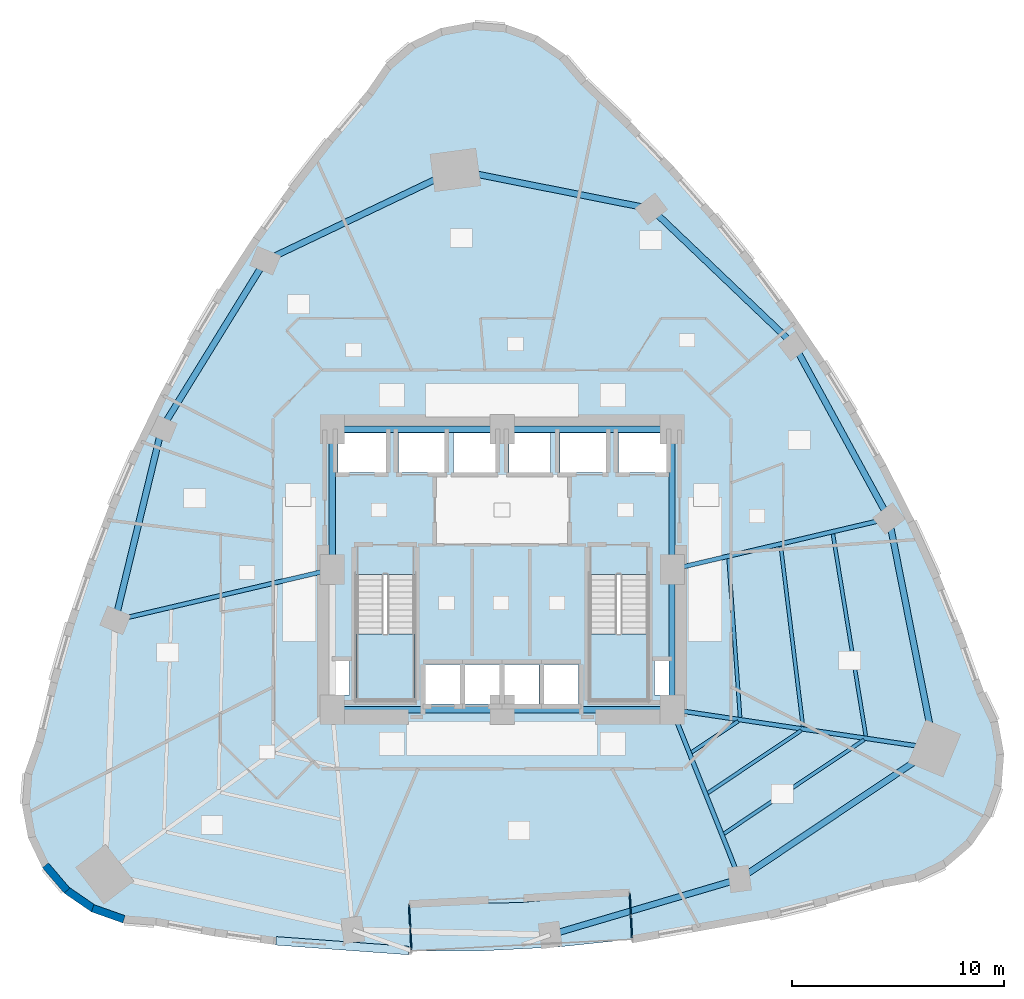
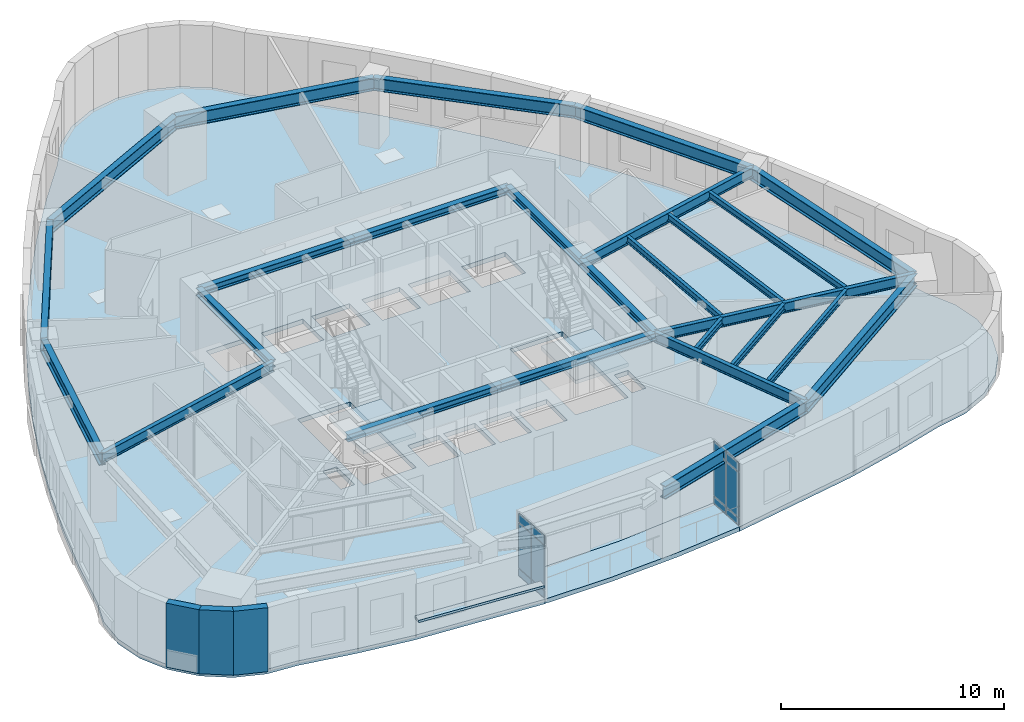
# One storey, part 3 of 11: 26 beams, 13 plates, 4 slabs, 3 walls, 4 elements without a shape of their own.
"""IFC4 building model written with IfcOpenShell, lengths in metres."""

from ifc_helpers import new_model, si_unit, direction, frame, frame_2d, origin, origin_2d, place, context, subcontext, project, spatial, polyline, rectangle, i_section, outline, extrude, material, layer, layer_set, material_profile, profile_set, type_object, element, aggregate, save


model = new_model("IFC4")

# Units and contexts
model_context = context("Model", 3, precision=1e-05, world=origin(), true_north=direction((0.0, 1.0)))
body_context = subcontext(model_context, "Body", "Model", "MODEL_VIEW")
ifc_project = project(units=[si_unit("LENGTHUNIT", "METRE"), si_unit("AREAUNIT", "SQUARE_METRE"), si_unit("VOLUMEUNIT", "CUBIC_METRE"), si_unit("PLANEANGLEUNIT", "RADIAN"), si_unit("MASSUNIT", "GRAM", prefix="KILO")], contexts=[model_context])

# Site, building, storey
site_placement = place(None, origin())
site = spatial("IfcSite", under=ifc_project, at=site_placement, CompositionType="ELEMENT")
building_placement = place(site_placement, origin())
building = spatial("IfcBuilding", under=site, at=building_placement, Name="Ndelora Gate Hotel", CompositionType="ELEMENT")
storey_placement = place(building_placement, frame((0.0, 0.0, 45.5)))
storey = spatial("IfcBuildingStorey", under=building, at=storey_placement, Name="L10", CompositionType="ELEMENT", Elevation=45.5)

# Beams
ifc_material_1 = material(Name="Steel S355", Category="steel")
ifc_material_profile_1 = material_profile(ifc_material_1, i_section(OverallWidth=0.300048828125, OverallDepth=0.39990234375, WebThickness=0.013427734375, FlangeThickness=0.02392578125, FilletRadius=0.027099609375, at=origin_2d()), Name="HEB 400")
ifc_profile_set_1 = profile_set([ifc_material_profile_1], Name="Steel S355")
beam_type_1 = type_object("IfcBeamType", Name="BM-CORE-400", PredefinedType="BEAM", material=ifc_profile_set_1)
for number, where, z_axis, x_axis, name in (
    (1, (-8.0, 6.60009765625, 3.300048828125), (1.0, 0.0, 0.0), (0.0, 1.0, 0.0), "L10 Core Tie Girder CC7-CC6"),
    (2, (0.0, 6.60009765625, 3.300048828125), (1.0, 0.0, 0.0), (0.0, 1.0, 0.0), "L10 Core Tie Girder CC6-CC5"),
):
    element("IfcBeam", number, at=place(storey_placement, frame(where, z_axis=z_axis, x_axis=x_axis)), inside=storey, type_object=beam_type_1, Name=name, PredefinedType="BEAM", context=body_context, shape_type="SweptSolid", body=[
        extrude(i_section(OverallWidth=0.300048828125, OverallDepth=0.39990234375, WebThickness=0.013427734375, FlangeThickness=0.02392578125, FilletRadius=0.027099609375, at=origin_2d()), origin(), (0.0, 0.0, 1.0), 8.0),
    ])
for number, where, z_axis, x_axis, name in (
    (3, (-8.0, 0.0, 3.300048828125), (0.0, 1.0, 0.0), (-1.0, 0.0, 0.0), "L10 Core Tie Girder CC8-CC7"),
    (4, (8.0, -6.60009765625, 3.300048828125), (0.0, 1.0, 0.0), (-1.0, 0.0, 0.0), "L10 Core Tie Girder CC3-CC4"),
    (5, (8.0, 0.0, 3.300048828125), (0.0, 1.0, 0.0), (-1.0, 0.0, 0.0), "L10 Core Tie Girder CC4-CC5"),
):
    element("IfcBeam", number, at=place(storey_placement, frame(where, z_axis=z_axis, x_axis=x_axis)), inside=storey, type_object=beam_type_1, Name=name, PredefinedType="BEAM", context=body_context, shape_type="SweptSolid", body=[
        extrude(i_section(OverallWidth=0.300048828125, OverallDepth=0.39990234375, WebThickness=0.013427734375, FlangeThickness=0.02392578125, FilletRadius=0.027099609375, at=origin_2d()), origin(), (0.0, 0.0, 1.0), 6.60009765625),
    ])
for number, where, z_axis, x_axis, name in (
    (6, (-8.0, -6.60009765625, 3.300048828125), (1.0, 0.0, 0.0), (0.0, 1.0, 0.0), "L10 Core Tie Girder CC1-CC2"),
    (7, (0.0, -6.60009765625, 3.300048828125), (1.0, 0.0, 0.0), (0.0, 1.0, 0.0), "L10 Core Tie Girder CC2-CC3"),
):
    element("IfcBeam", number, at=place(storey_placement, frame(where, z_axis=z_axis, x_axis=x_axis)), inside=storey, type_object=beam_type_1, Name=name, PredefinedType="BEAM", context=body_context, shape_type="SweptSolid", body=[
        extrude(i_section(OverallWidth=0.300048828125, OverallDepth=0.39990234375, WebThickness=0.013427734375, FlangeThickness=0.02392578125, FilletRadius=0.027099609375, at=origin_2d()), origin(), (0.0, 0.0, 1.0), 8.0),
    ])
ifc_material_profile_2 = material_profile(ifc_material_1, i_section(OverallWidth=0.169921875, OverallDepth=0.360107421875, WebThickness=0.008056640625, FlangeThickness=0.0126953125, FilletRadius=0.01806640625, at=origin_2d()), Name="IPE 360")
ifc_profile_set_2 = profile_set([ifc_material_profile_2], Name="Steel S355")
beam_type_2 = type_object("IfcBeamType", Name="BM-JST-360", PredefinedType="JOIST", material=ifc_profile_set_2)
beam_1_placement = place(storey_placement, frame((8.922119140625, -8.608154296875, 3.320068359375), z_axis=(0.830952990267, 0.556342635402, 0.0), x_axis=(-0.556342635402, 0.830952990267, 0.0)))
element("IfcBeam", 8, at=beam_1_placement, inside=storey, type_object=beam_type_2, Name="L10 Secondary Composite Floor Joist IN-8", PredefinedType="JOIST", context=body_context, shape_type="SweptSolid", body=[
    extrude(i_section(OverallWidth=0.169921875, OverallDepth=0.360107421875, WebThickness=0.008056640625, FlangeThickness=0.0126953125, FilletRadius=0.01806640625, at=origin_2d()), origin(), (0.0, 0.0, 1.0), 2.6396484375),
])
beam_2_placement = place(storey_placement, frame((9.685302734375, -10.520751953125, 3.320068359375), z_axis=(0.83093347578, 0.556371781121, 0.0), x_axis=(-0.556371781121, 0.83093347578, 0.0)))
element("IfcBeam", 9, at=beam_2_placement, inside=storey, type_object=beam_type_2, Name="L10 Secondary Composite Floor Joist MID-8", PredefinedType="JOIST", context=body_context, shape_type="SweptSolid", body=[
    extrude(i_section(OverallWidth=0.169921875, OverallDepth=0.360107421875, WebThickness=0.008056640625, FlangeThickness=0.0126953125, FilletRadius=0.01806640625, at=origin_2d()), origin(), (0.0, 0.0, 1.0), 5.2880859375),
])
beam_3_placement = place(storey_placement, frame((10.448486328125, -12.433349609375, 3.320068359375), z_axis=(0.830936507521, 0.556367253231, 0.0), x_axis=(-0.556367253231, 0.830936507521, 0.0)))
element("IfcBeam", 10, at=beam_3_placement, inside=storey, type_object=beam_type_2, Name="L10 Secondary Composite Floor Joist OUT-8", PredefinedType="JOIST", context=body_context, shape_type="SweptSolid", body=[
    extrude(i_section(OverallWidth=0.169921875, OverallDepth=0.360107421875, WebThickness=0.008056640625, FlangeThickness=0.0126953125, FilletRadius=0.01806640625, at=origin_2d()), origin(), (0.0, 0.0, 1.0), 7.936767578125),
])
beam_4_placement = place(storey_placement, frame((11.20263671875, -6.9609375, 3.320068359375), z_axis=(-0.072176031603, 0.997391909162, 0.0), x_axis=(-0.997391909162, -0.072176031603, 0.0)))
element("IfcBeam", 11, at=beam_4_placement, inside=storey, type_object=beam_type_2, Name="L10 Secondary Composite Floor Joist IN-9", PredefinedType="JOIST", context=body_context, shape_type="SweptSolid", body=[
    extrude(i_section(OverallWidth=0.169921875, OverallDepth=0.360107421875, WebThickness=0.008056640625, FlangeThickness=0.0126953125, FilletRadius=0.01806640625, at=origin_2d()), origin(), (0.0, 0.0, 1.0), 7.489013671875),
])
beam_5_placement = place(storey_placement, frame((14.160888671875, -7.400390625, 3.320068359375), z_axis=(-0.122030984704, 0.992526291225, 0.0), x_axis=(-0.992526291225, -0.122030984704, 0.0)))
element("IfcBeam", 12, at=beam_5_placement, inside=storey, type_object=beam_type_2, Name="L10 Secondary Composite Floor Joist MID-9", PredefinedType="JOIST", context=body_context, shape_type="SweptSolid", body=[
    extrude(i_section(OverallWidth=0.169921875, OverallDepth=0.360107421875, WebThickness=0.008056640625, FlangeThickness=0.0126953125, FilletRadius=0.01806640625, at=origin_2d()), origin(), (0.0, 0.0, 1.0), 8.548828125),
])
beam_6_placement = place(storey_placement, frame((17.12060546875, -7.840087890625, 3.320068359375), z_axis=(-0.160901992796, 0.986970388975, 0.0), x_axis=(-0.986970388975, -0.160901992796, 0.0)))
element("IfcBeam", 13, at=beam_6_placement, inside=storey, type_object=beam_type_2, Name="L10 Secondary Composite Floor Joist OUT-9", PredefinedType="JOIST", context=body_context, shape_type="SweptSolid", body=[
    extrude(i_section(OverallWidth=0.169921875, OverallDepth=0.360107421875, WebThickness=0.008056640625, FlangeThickness=0.0126953125, FilletRadius=0.01806640625, at=origin_2d()), origin(), (0.0, 0.0, 1.0), 9.6259765625),
])
ifc_material_profile_3 = material_profile(ifc_material_1, i_section(OverallWidth=0.2099609375, OverallDepth=0.550048828125, WebThickness=0.010986328125, FlangeThickness=0.01708984375, FilletRadius=0.02392578125, at=origin_2d()), Name="IPE 550")
ifc_profile_set_3 = profile_set([ifc_material_profile_3], Name="Steel S355")
beam_type_3 = type_object("IfcBeamType", Name="BM-RAD-550", PredefinedType="BEAM", material=ifc_profile_set_3)
beam_7_placement = place(storey_placement, frame((-8.0, 0.0, 3.22509765625), z_axis=(-0.973517848051, -0.22861102232, 0.0), x_axis=(0.22861102232, -0.973517848051, 0.0)))
element("IfcBeam", 14, at=beam_7_placement, inside=storey, type_object=beam_type_3, Name="L10 Radial Floor Girder 4", PredefinedType="BEAM", context=body_context, shape_type="SweptSolid", body=[
    extrude(i_section(OverallWidth=0.2099609375, OverallDepth=0.550048828125, WebThickness=0.010986328125, FlangeThickness=0.01708984375, FilletRadius=0.02392578125, at=origin_2d()), origin(), (0.0, 0.0, 1.0), 10.48486328125),
])
beam_8_placement = place(storey_placement, frame((8.0, -6.60009765625, 3.22509765625), z_axis=(0.37056142644, -0.92880796144, 0.0), x_axis=(0.92880796144, 0.37056142644, 0.0)))
element("IfcBeam", 15, at=beam_8_placement, inside=storey, type_object=beam_type_3, Name="L10 Radial Floor Girder 8", PredefinedType="BEAM", context=body_context, shape_type="SweptSolid", body=[
    extrude(i_section(OverallWidth=0.2099609375, OverallDepth=0.550048828125, WebThickness=0.010986328125, FlangeThickness=0.01708984375, FilletRadius=0.02392578125, at=origin_2d()), origin(), (0.0, 0.0, 1.0), 8.580078125),
])
beam_9_placement = place(storey_placement, frame((8.0, -6.60009765625, 3.22509765625), z_axis=(0.989209761041, -0.146506138649, 0.0), x_axis=(0.146506138649, 0.989209761041, 0.0)))
element("IfcBeam", 16, at=beam_9_placement, inside=storey, type_object=beam_type_3, Name="L10 Radial Floor Girder 9", PredefinedType="BEAM", context=body_context, shape_type="SweptSolid", body=[
    extrude(i_section(OverallWidth=0.2099609375, OverallDepth=0.550048828125, WebThickness=0.010986328125, FlangeThickness=0.01708984375, FilletRadius=0.02392578125, at=origin_2d()), origin(), (0.0, 0.0, 1.0), 12.48486328125),
])
beam_10_placement = place(storey_placement, frame((8.0, 0.0, 3.22509765625), z_axis=(0.973517848051, 0.22861102232, 0.0), x_axis=(-0.22861102232, 0.973517848051, 0.0)))
element("IfcBeam", 17, at=beam_10_placement, inside=storey, type_object=beam_type_3, Name="L10 Radial Floor Girder 10", PredefinedType="BEAM", context=body_context, shape_type="SweptSolid", body=[
    extrude(i_section(OverallWidth=0.2099609375, OverallDepth=0.550048828125, WebThickness=0.010986328125, FlangeThickness=0.01708984375, FilletRadius=0.02392578125, at=origin_2d()), origin(), (0.0, 0.0, 1.0), 10.48486328125),
])
ifc_material_profile_4 = material_profile(ifc_material_1, i_section(OverallWidth=0.300048828125, OverallDepth=0.699951171875, WebThickness=0.01708984375, FlangeThickness=0.031982421875, FilletRadius=0.027099609375, at=origin_2d()), Name="HEB 700")
ifc_profile_set_4 = profile_set([ifc_material_profile_4], Name="Steel S355")
beam_type_4 = type_object("IfcBeamType", Name="BM-RING-700", PredefinedType="SPANDREL", material=ifc_profile_set_4)
beam_11_placement = place(storey_placement, frame((-2.199951171875, 18.800048828125, 3.14990234375), z_axis=(-0.902476034566, -0.43074006899, 0.0), x_axis=(0.43074006899, -0.902476034566, 0.0)))
element("IfcBeam", 18, at=beam_11_placement, inside=storey, type_object=beam_type_4, Name="L10 Perimeter Spandrel Girder 1", PredefinedType="SPANDREL", context=body_context, shape_type="SweptSolid", body=[
    extrude(i_section(OverallWidth=0.300048828125, OverallDepth=0.699951171875, WebThickness=0.01708984375, FlangeThickness=0.031982421875, FilletRadius=0.027099609375, at=origin_2d()), origin(), (0.0, 0.0, 1.0), 9.91552734375),
])
beam_12_placement = place(storey_placement, frame((-11.1484375, 14.529052734375, 3.14990234375), z_axis=(-0.524897602516, -0.851165381623, 0.0), x_axis=(0.851165381623, -0.524897602516, 0.0)))
element("IfcBeam", 19, at=beam_12_placement, inside=storey, type_object=beam_type_4, Name="L10 Perimeter Spandrel Girder 2", PredefinedType="SPANDREL", context=body_context, shape_type="SweptSolid", body=[
    extrude(i_section(OverallWidth=0.300048828125, OverallDepth=0.699951171875, WebThickness=0.01708984375, FlangeThickness=0.031982421875, FilletRadius=0.027099609375, at=origin_2d()), origin(), (0.0, 0.0, 1.0), 9.27490234375),
])
beam_13_placement = place(storey_placement, frame((-16.016845703125, 6.634521484375, 3.14990234375), z_axis=(-0.235699273714, -0.971826040179, 0.0), x_axis=(0.971826040179, -0.235699273714, 0.0)))
element("IfcBeam", 20, at=beam_13_placement, inside=storey, type_object=beam_type_4, Name="L10 Perimeter Spandrel Girder 3", PredefinedType="SPANDREL", context=body_context, shape_type="SweptSolid", body=[
    extrude(i_section(OverallWidth=0.300048828125, OverallDepth=0.699951171875, WebThickness=0.01708984375, FlangeThickness=0.031982421875, FilletRadius=0.027099609375, at=origin_2d()), origin(), (0.0, 0.0, 1.0), 9.293212890625),
])
beam_14_placement = place(storey_placement, frame((2.2646484375, -17.20166015625, 3.14990234375), z_axis=(0.959064248316, 0.283188572514, 0.0), x_axis=(-0.283188572514, 0.959064248316, 0.0)))
element("IfcBeam", 21, at=beam_14_placement, inside=storey, type_object=beam_type_4, Name="L10 Perimeter Spandrel Girder 7", PredefinedType="SPANDREL", context=body_context, shape_type="SweptSolid", body=[
    extrude(i_section(OverallWidth=0.300048828125, OverallDepth=0.699951171875, WebThickness=0.01708984375, FlangeThickness=0.031982421875, FilletRadius=0.027099609375, at=origin_2d()), origin(), (0.0, 0.0, 1.0), 9.29541015625),
])
beam_15_placement = place(storey_placement, frame((11.179443359375, -14.5693359375, 3.14990234375), z_axis=(0.830945983886, 0.556353099985, 0.0), x_axis=(-0.556353099985, 0.830945983886, 0.0)))
element("IfcBeam", 22, at=beam_15_placement, inside=storey, type_object=beam_type_4, Name="L10 Perimeter Spandrel Girder 8", PredefinedType="SPANDREL", context=body_context, shape_type="SweptSolid", body=[
    extrude(i_section(OverallWidth=0.300048828125, OverallDepth=0.699951171875, WebThickness=0.01708984375, FlangeThickness=0.031982421875, FilletRadius=0.027099609375, at=origin_2d()), origin(), (0.0, 0.0, 1.0), 11.036376953125),
])
beam_16_placement = place(storey_placement, frame((20.35009765625, -8.42919921875, 3.14990234375), z_axis=(-0.194163071691, 0.980969266385, 0.0), x_axis=(-0.980969266385, -0.194163071691, 0.0)))
element("IfcBeam", 23, at=beam_16_placement, inside=storey, type_object=beam_type_4, Name="L10 Perimeter Spandrel Girder 9", PredefinedType="SPANDREL", context=body_context, shape_type="SweptSolid", body=[
    extrude(i_section(OverallWidth=0.300048828125, OverallDepth=0.699951171875, WebThickness=0.01708984375, FlangeThickness=0.031982421875, FilletRadius=0.027099609375, at=origin_2d()), origin(), (0.0, 0.0, 1.0), 11.0361328125),
])
for number, where, z_axis, x_axis, name in (
    (24, (18.207275390625, 2.39697265625, 3.14990234375), (-0.479203651005, 0.87770374322, 0.0), (-0.87770374322, -0.479203651005, 0.0), "L10 Perimeter Spandrel Girder 10"),
    (25, (13.75390625, 10.5537109375, 3.14990234375), (-0.723784227769, 0.690026370244, 0.0), (-0.690026370244, -0.723784227769, 0.0), "L10 Perimeter Spandrel Girder 11"),
):
    element("IfcBeam", number, at=place(storey_placement, frame(where, z_axis=z_axis, x_axis=x_axis)), inside=storey, type_object=beam_type_4, Name=name, PredefinedType="SPANDREL", context=body_context, shape_type="SweptSolid", body=[
        extrude(i_section(OverallWidth=0.300048828125, OverallDepth=0.699951171875, WebThickness=0.01708984375, FlangeThickness=0.031982421875, FilletRadius=0.027099609375, at=origin_2d()), origin(), (0.0, 0.0, 1.0), 9.293212890625),
    ])
beam_17_placement = place(storey_placement, frame((7.027587890625, 16.96630859375, 3.14990234375), z_axis=(-0.980820478164, 0.194913287424, 0.0), x_axis=(-0.194913287424, -0.980820478164, 0.0)))
element("IfcBeam", 26, at=beam_17_placement, inside=storey, type_object=beam_type_4, Name="L10 Perimeter Spandrel Girder 12", PredefinedType="SPANDREL", context=body_context, shape_type="SweptSolid", body=[
    extrude(i_section(OverallWidth=0.300048828125, OverallDepth=0.699951171875, WebThickness=0.01708984375, FlangeThickness=0.031982421875, FilletRadius=0.027099609375, at=origin_2d()), origin(), (0.0, 0.0, 1.0), 9.407958984375),
])

# Curtain wall, plates
ifc_material_2 = material(Name="Bronze Anodised Unitised Aluminium and Low-E Glass", Category="aluminium")
ifc_layer_1 = layer(ifc_material_2, 0.199951171875)
ifc_layer_set_1 = layer_set([ifc_layer_1], Name="Bronze Anodised Unitised Aluminium and Low-E Glass")
curtain_wall_type = type_object("IfcCurtainWallType", Name="CW-SYS-3", PredefinedType="NOTDEFINED", material=ifc_layer_set_1)
curtain_wall_1_placement = place(storey_placement, origin())
curtain_wall_1 = element("IfcCurtainWall", 27, at=curtain_wall_1_placement, inside=storey, type_object=curtain_wall_type, Name="L10 Sky-Garden Loggia Side Curtain Wall CW3-1", PredefinedType="NOTDEFINED")
ifc_material_3 = material(Name="Solar-Control Low-E Insulated Glazing", Category="glass")
ifc_layer_2 = layer(ifc_material_3, 0.048095703125)
ifc_layer_set_2 = layer_set([ifc_layer_2], Name="Solar-Control Low-E Insulated Glazing")
plate_type_1 = type_object("IfcPlateType", Name="PL-CW-GLZ36", PredefinedType="CURTAIN_PANEL", material=ifc_layer_set_2)
plate_1_placement = place(storey_placement, frame((-4.35205078125, -16.318115234375, 0.05908203125), z_axis=(0.0, 0.0, 1.0), x_axis=(0.052363203389, -0.998628106419, 0.0)))
plate_1 = element("IfcPlate", 28, at=plate_1_placement, type_object=plate_type_1, Name="CW3 panel 1.1", PredefinedType="CURTAIN_PANEL", context=body_context, shape_type="SweptSolid", body=[
    extrude(rectangle(XDim=1.014404296875, YDim=0.048095703125, at=origin_2d()), origin(), (0.0, 0.0, 1.0), 0.364501953125),
])
plate_2_placement = place(storey_placement, frame((-4.35205078125, -16.318115234375, 0.4765625), z_axis=(0.0, 0.0, 1.0), x_axis=(0.052363203389, -0.998628106419, 0.0)))
plate_2 = element("IfcPlate", 29, at=plate_2_placement, type_object=plate_type_1, Name="CW3 panel 1.2", PredefinedType="CURTAIN_PANEL", context=body_context, shape_type="SweptSolid", body=[
    extrude(rectangle(XDim=1.014404296875, YDim=0.048095703125, at=origin_2d()), origin(), (0.0, 0.0, 1.0), 2.447021484375),
])
plate_3_placement = place(storey_placement, frame((-4.35205078125, -16.318115234375, 2.9765625), z_axis=(0.0, 0.0, 1.0), x_axis=(0.052363203389, -0.998628106419, 0.0)))
plate_3 = element("IfcPlate", 30, at=plate_3_placement, type_object=plate_type_1, Name="CW3 panel 1.3", PredefinedType="CURTAIN_PANEL", context=body_context, shape_type="SweptSolid", body=[
    extrude(rectangle(XDim=1.014404296875, YDim=0.048095703125, at=origin_2d()), origin(), (0.0, 0.0, 1.0), 0.464599609375),
])
plate_4_placement = place(storey_placement, frame((-4.296142578125, -17.38427734375, 0.05908203125), z_axis=(0.0, 0.0, 1.0), x_axis=(0.052363203389, -0.998628106419, 0.0)))
plate_4 = element("IfcPlate", 31, at=plate_4_placement, type_object=plate_type_1, Name="CW3 panel 2.1", PredefinedType="CURTAIN_PANEL", context=body_context, shape_type="SweptSolid", body=[
    extrude(rectangle(XDim=1.014404296875, YDim=0.048095703125, at=origin_2d()), origin(), (0.0, 0.0, 1.0), 0.364501953125),
])
plate_5_placement = place(storey_placement, frame((-4.296142578125, -17.38427734375, 0.4765625), z_axis=(0.0, 0.0, 1.0), x_axis=(0.052363203389, -0.998628106419, 0.0)))
plate_5 = element("IfcPlate", 32, at=plate_5_placement, type_object=plate_type_1, Name="CW3 panel 2.2", PredefinedType="CURTAIN_PANEL", context=body_context, shape_type="SweptSolid", body=[
    extrude(rectangle(XDim=1.014404296875, YDim=0.048095703125, at=origin_2d()), origin(), (0.0, 0.0, 1.0), 2.447021484375),
])
plate_6_placement = place(storey_placement, frame((-4.296142578125, -17.38427734375, 2.9765625), z_axis=(0.0, 0.0, 1.0), x_axis=(0.052363203389, -0.998628106419, 0.0)))
plate_6 = element("IfcPlate", 33, at=plate_6_placement, type_object=plate_type_1, Name="CW3 panel 2.3", PredefinedType="CURTAIN_PANEL", context=body_context, shape_type="SweptSolid", body=[
    extrude(rectangle(XDim=1.014404296875, YDim=0.048095703125, at=origin_2d()), origin(), (0.0, 0.0, 1.0), 0.464599609375),
])
aggregate(curtain_wall_1, [plate_1, plate_2, plate_3, plate_4, plate_5, plate_6])

curtain_wall_2_placement = place(storey_placement, origin())
curtain_wall_2 = element("IfcCurtainWall", 34, at=curtain_wall_2_placement, inside=storey, type_object=curtain_wall_type, Name="L10 Sky-Garden Loggia Side Curtain Wall CW3-2", PredefinedType="NOTDEFINED")
plate_7_placement = place(storey_placement, frame((6.089599609375, -16.83984375, 0.05908203125), z_axis=(0.0, 0.0, 1.0), x_axis=(-0.052317873695, 0.998630482257, 0.0)))
plate_7 = element("IfcPlate", 35, at=plate_7_placement, type_object=plate_type_1, Name="CW3 panel 1.1", PredefinedType="CURTAIN_PANEL", context=body_context, shape_type="SweptSolid", body=[
    extrude(rectangle(XDim=1.014404296875, YDim=0.048095703125, at=origin_2d()), origin(), (0.0, 0.0, 1.0), 0.364501953125),
])
plate_8_placement = place(storey_placement, frame((6.089599609375, -16.83984375, 0.4765625), z_axis=(0.0, 0.0, 1.0), x_axis=(-0.052317873695, 0.998630482257, 0.0)))
plate_8 = element("IfcPlate", 36, at=plate_8_placement, type_object=plate_type_1, Name="CW3 panel 1.2", PredefinedType="CURTAIN_PANEL", context=body_context, shape_type="SweptSolid", body=[
    extrude(rectangle(XDim=1.014404296875, YDim=0.048095703125, at=origin_2d()), origin(), (0.0, 0.0, 1.0), 2.447021484375),
])
plate_9_placement = place(storey_placement, frame((6.089599609375, -16.83984375, 2.9765625), z_axis=(0.0, 0.0, 1.0), x_axis=(-0.052317873695, 0.998630482257, 0.0)))
plate_9 = element("IfcPlate", 37, at=plate_9_placement, type_object=plate_type_1, Name="CW3 panel 1.3", PredefinedType="CURTAIN_PANEL", context=body_context, shape_type="SweptSolid", body=[
    extrude(rectangle(XDim=1.014404296875, YDim=0.048095703125, at=origin_2d()), origin(), (0.0, 0.0, 1.0), 0.464599609375),
])
plate_10_placement = place(storey_placement, frame((6.033935546875, -15.77392578125, 0.05908203125), z_axis=(0.0, 0.0, 1.0), x_axis=(-0.052317873695, 0.998630482257, 0.0)))
plate_10 = element("IfcPlate", 38, at=plate_10_placement, type_object=plate_type_1, Name="CW3 panel 2.1", PredefinedType="CURTAIN_PANEL", context=body_context, shape_type="SweptSolid", body=[
    extrude(rectangle(XDim=1.014404296875, YDim=0.048095703125, at=origin_2d()), origin(), (0.0, 0.0, 1.0), 0.364501953125),
])
plate_11_placement = place(storey_placement, frame((6.033935546875, -15.77392578125, 0.4765625), z_axis=(0.0, 0.0, 1.0), x_axis=(-0.052317873695, 0.998630482257, 0.0)))
plate_11 = element("IfcPlate", 39, at=plate_11_placement, type_object=plate_type_1, Name="CW3 panel 2.2", PredefinedType="CURTAIN_PANEL", context=body_context, shape_type="SweptSolid", body=[
    extrude(rectangle(XDim=1.014404296875, YDim=0.048095703125, at=origin_2d()), origin(), (0.0, 0.0, 1.0), 2.447021484375),
])
plate_12_placement = place(storey_placement, frame((6.033935546875, -15.77392578125, 2.9765625), z_axis=(0.0, 0.0, 1.0), x_axis=(-0.052317873695, 0.998630482257, 0.0)))
plate_12 = element("IfcPlate", 40, at=plate_12_placement, type_object=plate_type_1, Name="CW3 panel 2.3", PredefinedType="CURTAIN_PANEL", context=body_context, shape_type="SweptSolid", body=[
    extrude(rectangle(XDim=1.014404296875, YDim=0.048095703125, at=origin_2d()), origin(), (0.0, 0.0, 1.0), 0.464599609375),
])
aggregate(curtain_wall_2, [plate_7, plate_8, plate_9, plate_10, plate_11, plate_12])

# Plate
ifc_material_4 = material(Name="Precast concrete C40/50", Category="concrete")
ifc_layer_3 = layer(ifc_material_4, 0.125)
ifc_layer_set_3 = layer_set([ifc_layer_3], Name="Precast concrete C40/50")
plate_type_2 = type_object("IfcPlateType", Name="PL-SILL-120", PredefinedType="USERDEFINED", material=ifc_layer_set_3)
plate_13_placement = place(storey_placement, frame((-7.515625, -17.7119140625, 0.78759765625), z_axis=(0.0, 0.0, 1.0), x_axis=(-0.997327244511, 0.0730641318, 0.0)))
element("IfcPlate", 41, at=plate_13_placement, inside=storey, type_object=plate_type_2, Name="L10 Streamline Precast Ribbon Sill 31", ObjectType="RIBBON_SILL", PredefinedType="USERDEFINED", context=body_context, shape_type="SweptSolid", body=[
    extrude(rectangle(XDim=6.26611328125, YDim=0.39990234375, at=origin_2d()), origin(), (0.0, 0.0, 1.0), 0.125),
])

# Stair, slab
stair_type = type_object("IfcStairType", Name="STR-DOG-CORE", PredefinedType="HALF_TURN_STAIR", material=ifc_material_4)
stair_1_placement = place(storey_placement, origin())
stair_1 = element("IfcStair", 42, at=stair_1_placement, inside=storey, type_object=stair_type, Name="L10 Protected Core Exit Stair ST4", PredefinedType="HALF_TURN_STAIR")
ifc_layer_4 = layer(ifc_material_4, 0.219970703125)
ifc_layer_set_4 = layer_set([ifc_layer_4], Name="Precast concrete C40/50")
slab_type_1 = type_object("IfcSlabType", Name="SL-LAND-220", PredefinedType="LANDING", material=ifc_layer_set_4)
slab_1_placement = place(storey_placement, frame((0.0, 0.0, 1.675048828125)))
slab_1 = element("IfcSlab", 43, at=slab_1_placement, type_object=slab_type_1, Name="ST4 landing 1", PredefinedType="LANDING", context=body_context, shape_type="SweptSolid", body=[
    extrude(outline(polyline([(-6.85009765625, -3.030029296875), (-6.85009765625, -6.14990234375), (-4.1298828125, -6.14990234375), (-4.1298828125, -3.030029296875), (-6.85009765625, -3.030029296875)])), origin(), (0.0, 0.0, 1.0), 0.199951171875),
])
aggregate(stair_1, [slab_1])

stair_2_placement = place(storey_placement, origin())
stair_2 = element("IfcStair", 44, at=stair_2_placement, inside=storey, type_object=stair_type, Name="L10 Protected Core Exit Stair ST5", PredefinedType="HALF_TURN_STAIR")
slab_2_placement = place(storey_placement, frame((0.0, 0.0, 1.675048828125)))
slab_2 = element("IfcSlab", 45, at=slab_2_placement, type_object=slab_type_1, Name="ST5 landing 1", PredefinedType="LANDING", context=body_context, shape_type="SweptSolid", body=[
    extrude(outline(polyline([(4.1298828125, -3.030029296875), (4.1298828125, -6.14990234375), (6.85009765625, -6.14990234375), (6.85009765625, -3.030029296875), (4.1298828125, -3.030029296875)])), origin(), (0.0, 0.0, 1.0), 0.199951171875),
])
aggregate(stair_2, [slab_2])

# Slabs
ifc_layer_5 = layer(ifc_material_4, 0.239990234375)
ifc_layer_set_5 = layer_set([ifc_layer_5], Name="Precast concrete C40/50")
slab_type_2 = type_object("IfcSlabType", Name="SL-TER-240", PredefinedType="FLOOR", material=ifc_layer_set_5)
slab_3_placement = place(storey_placement, frame((0.0, 0.0, -0.239990234375)))
element("IfcSlab", 46, at=slab_3_placement, inside=storey, type_object=slab_type_2, Name="L10 Sky Garden Loggia Terrace Slab", PredefinedType="FLOOR", context=body_context, shape_type="SweptSolid", body=[
    extrude(outline(polyline([(-4.381591796875, -15.752685546875), (-4.266357421875, -17.94970703125), (-0.829833984375, -17.948486328125), (2.701416015625, -17.763427734375), (6.119384765625, -17.405517578125), (6.004150390625, -15.20849609375), (0.822021484375, -15.682373046875), (-4.381591796875, -15.752685546875)])), origin(), (0.0, 0.0, 1.0), 0.239990234375),
])
ifc_material_5 = material(Name="Concrete C40/50", Category="concrete")
ifc_layer_6 = layer(ifc_material_5, 0.25)
ifc_layer_set_6 = layer_set([ifc_layer_6], Name="Concrete C40/50")
slab_type_3 = type_object("IfcSlabType", Name="SL-TWR-250", PredefinedType="FLOOR", material=ifc_layer_set_6)
slab_4_placement = place(storey_placement, frame((0.0, 0.0, -0.25)))
element("IfcSlab", 47, at=slab_4_placement, inside=storey, type_object=slab_type_3, Name="L10 Structural Floor Slab", PredefinedType="FLOOR", context=body_context, shape_type="SweptSolid", body=[
    extrude(outline(polyline([(3.82763671875, 22.939697265625), (2.84423828125, 24.0908203125), (1.596435546875, 24.948486328125), (0.169189453125, 25.4541015625), (-1.340087890625, 25.57275390625), (-2.8291015625, 25.296875), (-4.195556640625, 24.64501953125), (-5.346923828125, 23.66162109375), (-6.20458984375, 22.413818359375), (-8.101318359375, 20.171630859375), (-9.889404296875, 17.873779296875), (-11.568603515625, 15.520751953125), (-13.138916015625, 13.112060546875), (-14.60009765625, 10.64794921875), (-15.952392578125, 8.128173828125), (-17.196044921875, 5.552978515625), (-18.33056640625, 2.92236328125), (-19.3564453125, 0.236328125), (-20.273193359375, -2.50537109375), (-21.0810546875, -5.302490234375), (-21.780029296875, -8.155029296875), (-22.285400390625, -9.582275390625), (-22.404296875, -11.091796875), (-22.12841796875, -12.580322265625), (-21.4765625, -13.947021484375), (-20.4931640625, -15.098388671875), (-19.245361328125, -15.9560546875), (-17.818115234375, -16.46142578125), (-16.30859375, -16.580078125), (-13.533935546875, -17.083251953125), (-10.764892578125, -17.47412109375), (-4.266357421875, -17.94970703125), (-4.381591796875, -15.752685546875), (0.822021484375, -15.682373046875), (6.004150390625, -15.20849609375), (6.119384765625, -17.405517578125), (12.53271484375, -16.2529296875), (15.24560546875, -15.5751953125), (17.952392578125, -14.78466796875), (19.441162109375, -14.5087890625), (20.807861328125, -13.85693359375), (21.959228515625, -12.87353515625), (22.81689453125, -11.625732421875), (23.322265625, -10.198486328125), (23.44091796875, -8.68896484375), (23.1650390625, -7.2001953125), (22.51318359375, -5.833740234375), (21.52001953125, -3.06982421875), (20.424072265625, -0.37255859375), (19.2255859375, 2.25830078125), (17.9248046875, 4.822509765625), (16.521484375, 7.320068359375), (15.015380859375, 9.751220703125), (13.406982421875, 12.11572265625), (11.6962890625, 14.41357421875), (9.8828125, 16.64501953125), (7.966796875, 18.809814453125), (5.948486328125, 20.907958984375), (3.82763671875, 22.939697265625)]), holes=[polyline([(-6.85009765625, -0.22998046875), (-6.85009765625, -6.14990234375), (-4.1298828125, -6.14990234375), (-4.1298828125, -0.22998046875), (-6.85009765625, -0.22998046875)]), polyline([(4.1298828125, -0.22998046875), (4.1298828125, -6.14990234375), (6.85009765625, -6.14990234375), (6.85009765625, -0.22998046875), (4.1298828125, -0.22998046875)]), polyline([(-7.72998046875, 4.570068359375), (-5.469970703125, 4.570068359375), (-5.469970703125, 6.429931640625), (-7.72998046875, 6.429931640625), (-7.72998046875, 4.570068359375)]), polyline([(5.469970703125, 4.570068359375), (7.72998046875, 4.570068359375), (7.72998046875, 6.429931640625), (5.469970703125, 6.429931640625), (5.469970703125, 4.570068359375)]), polyline([(-4.8798828125, 4.570068359375), (-2.719970703125, 4.570068359375), (-2.719970703125, 6.429931640625), (-4.8798828125, 6.429931640625), (-4.8798828125, 4.570068359375)]), polyline([(2.719970703125, 4.570068359375), (4.8798828125, 4.570068359375), (4.8798828125, 6.429931640625), (2.719970703125, 6.429931640625), (2.719970703125, 4.570068359375)]), polyline([(-3.60009765625, -6.330078125), (-1.97998046875, -6.330078125), (-1.97998046875, -4.469970703125), (-3.60009765625, -4.469970703125), (-3.60009765625, -6.330078125)]), polyline([(-1.739990234375, -6.330078125), (-0.1201171875, -6.330078125), (-0.1201171875, -4.469970703125), (-1.739990234375, -4.469970703125), (-1.739990234375, -6.330078125)]), polyline([(0.1201171875, -6.330078125), (1.739990234375, -6.330078125), (1.739990234375, -4.469970703125), (0.1201171875, -4.469970703125), (0.1201171875, -6.330078125)]), polyline([(1.97998046875, -6.330078125), (3.60009765625, -6.330078125), (3.60009765625, -4.469970703125), (1.97998046875, -4.469970703125), (1.97998046875, -6.330078125)]), polyline([(-2.280029296875, 4.570068359375), (-0.320068359375, 4.570068359375), (-0.320068359375, 6.429931640625), (-2.280029296875, 6.429931640625), (-2.280029296875, 4.570068359375)]), polyline([(0.320068359375, 4.570068359375), (2.280029296875, 4.570068359375), (2.280029296875, 6.429931640625), (0.320068359375, 6.429931640625), (0.320068359375, 4.570068359375)]), polyline([(-7.89990234375, -5.919921875), (-7.179931640625, -5.919921875), (-7.179931640625, -4.320068359375), (-7.89990234375, -4.320068359375), (-7.89990234375, -5.919921875)]), polyline([(7.179931640625, -5.919921875), (7.89990234375, -5.919921875), (7.89990234375, -4.320068359375), (7.179931640625, -4.320068359375), (7.179931640625, -5.919921875)])]), origin(), (0.0, 0.0, 1.0), 0.25),
])

# Walls
ifc_material_6 = material(Name="Clay Brick Masonry", Category="masonry")
ifc_layer_7 = layer(ifc_material_6, 0.360107421875)
ifc_layer_set_7 = layer_set([ifc_layer_7], Name="Clay Brick Masonry")
wall_type = type_object("IfcWallType", Name="WL-BRICK-360", PredefinedType="SOLIDWALL", material=ifc_layer_set_7)
for number, where, z_axis, x_axis, name in (
    (48, (-20.47705078125, -15.117431640625, 0.0), (0.0, 0.0, 1.0), (-0.649440729305, 0.760412216577, 0.0), "L10 Tower Brick Pier-and-Spandrel Wall TWR-25"),
    (49, (-19.224853515625, -15.97021484375, 0.0), (0.0, 0.0, 1.0), (-0.824114783412, 0.56642283125, 0.0), "L10 Tower Brick Pier-and-Spandrel Wall TWR-26"),
):
    element("IfcWall", number, at=place(storey_placement, frame(where, z_axis=z_axis, x_axis=x_axis)), inside=storey, type_object=wall_type, Name=name, PredefinedType="SOLIDWALL", context=body_context, shape_type="SweptSolid", body=[
        extrude(rectangle(XDim=1.564208984375, YDim=0.360107421875, at=frame_2d((0.7822265625, 0.0))), origin(), (0.0, 0.0, 1.0), 3.5),
    ])
wall_placement = place(storey_placement, frame((-17.794677734375, -16.4697265625, 0.0), z_axis=(0.0, 0.0, 1.0), x_axis=(-0.942667130503, 0.333734446931, 0.0)))
element("IfcWall", 50, at=wall_placement, inside=storey, type_object=wall_type, Name="L10 Tower Brick Pier-and-Spandrel Wall TWR-27", PredefinedType="SOLIDWALL", context=body_context, shape_type="SweptSolid", body=[
    extrude(rectangle(XDim=1.56396484375, YDim=0.360107421875, at=frame_2d((0.781982421875, 0.0))), origin(), (0.0, 0.0, 1.0), 3.5),
])

save(model, "model.ifc")
